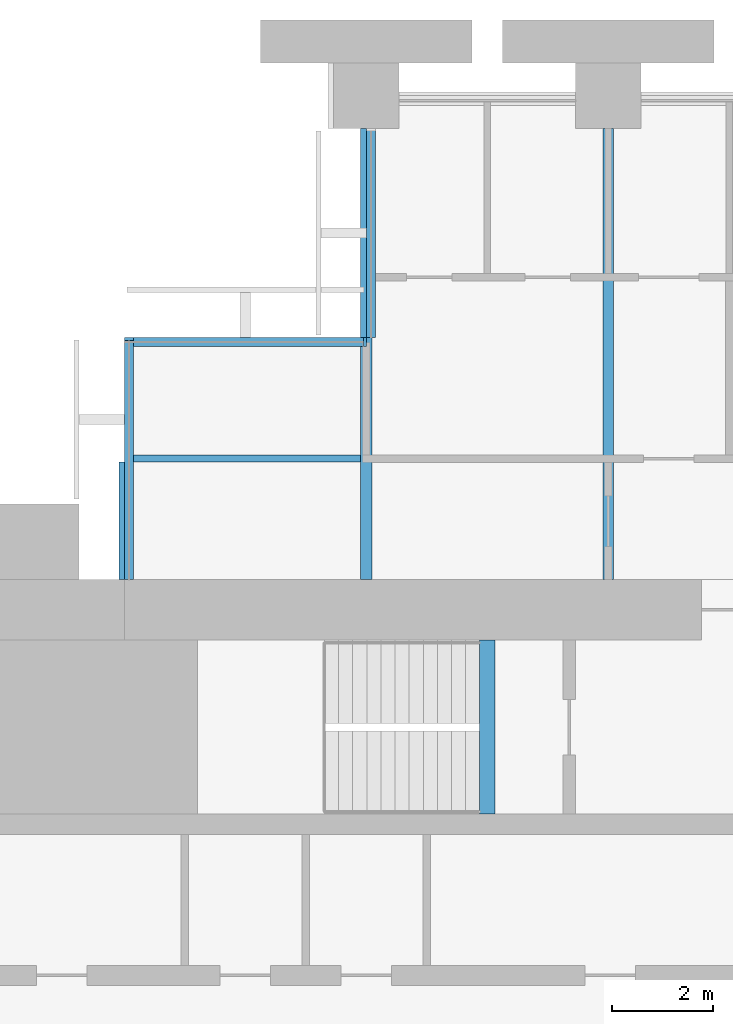
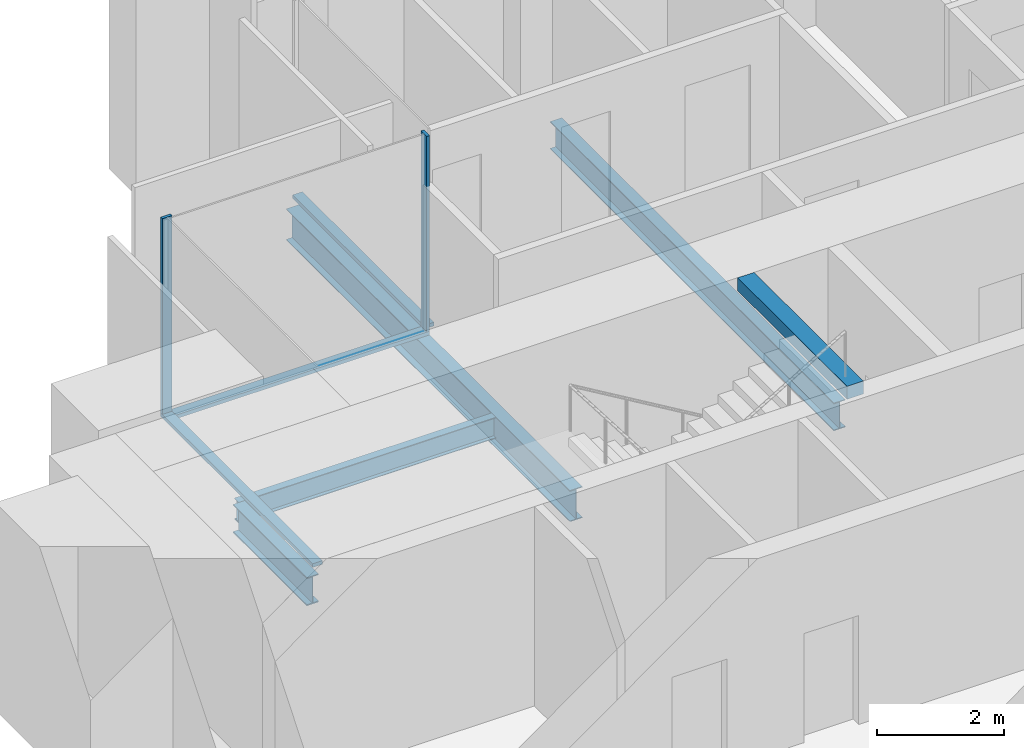
# One storey, part 5 of 14: 5 beams, 5 members, 3 elements without a shape of their own.
"""IFC4 building model written with IfcOpenShell, lengths in metres."""

from ifc_helpers import new_model, si_unit, direction, frame, origin, origin_2d, place, context, subcontext, project, spatial, rectangle, i_section, extrude, material, material_profile, profile_set, type_object, element, aggregate, save


model = new_model("IFC4")

# Units and contexts
model_context = context("Model", 3, precision=1e-05, world=origin(), true_north=direction((0.0, 1.0)))
body_context = subcontext(model_context, "Body", "Model", "MODEL_VIEW")
ifc_project = project(units=[si_unit("LENGTHUNIT", "METRE"), si_unit("AREAUNIT", "SQUARE_METRE"), si_unit("VOLUMEUNIT", "CUBIC_METRE"), si_unit("PLANEANGLEUNIT", "RADIAN"), si_unit("MASSUNIT", "GRAM", prefix="KILO")], contexts=[model_context])

# Site, building, storey
site_placement = place(None, origin())
site = spatial("IfcSite", under=ifc_project, at=site_placement, CompositionType="ELEMENT")
building_placement = place(site_placement, origin())
building = spatial("IfcBuilding", under=site, at=building_placement, Name="Baori Bourse Tower", CompositionType="ELEMENT")
storey_placement = place(building_placement, frame((0.0, 0.0, 63.0)))
storey = spatial("IfcBuildingStorey", under=building, at=storey_placement, Name="L13", CompositionType="ELEMENT", Elevation=63.0)

# Curtain wall, member
ifc_material_1 = material(Name="Pale anodised aluminium", Category="aluminium")
curtain_wall_type = type_object("IfcCurtainWallType", Name="CW2 Curtain wall", PredefinedType="NOTDEFINED", material=ifc_material_1)
curtain_wall_1_placement = place(storey_placement, origin())
curtain_wall_1 = element("IfcCurtainWall", 1, at=curtain_wall_1_placement, inside=storey, type_object=curtain_wall_type, Name="Curtain wall CW2 L13 6", PredefinedType="NOTDEFINED")
ifc_material_2 = material(Name="Pale anodised aluminium", Category="aluminium")
ifc_material_profile_1 = material_profile(ifc_material_2, rectangle(XDim=0.179931640625, YDim=0.054931640625, at=origin_2d()), Name="Mullion 55x180")
ifc_profile_set_1 = profile_set([ifc_material_profile_1], Name="Pale anodised aluminium")
member_type_1 = type_object("IfcMemberType", Name="CW2 Curtain wall mullion", PredefinedType="MULLION", material=ifc_profile_set_1)
member_1_placement = place(storey_placement, frame((9.572509765625, 43.110107421875, 0.070068359375), z_axis=(0.0, 0.0, 1.0), x_axis=(0.0, -1.0, 0.0)))
member_1 = element("IfcMember", 2, at=member_1_placement, type_object=member_type_1, Name="Curtain wall CW2 mullion", PredefinedType="MULLION", context=body_context, shape_type="SweptSolid", body=[
    extrude(rectangle(XDim=0.179931640625, YDim=0.054931640625, at=origin_2d()), origin(), (0.0, 0.0, 1.0), 3.77001953125),
])

curtain_wall_2_placement = place(storey_placement, origin())
curtain_wall_2 = element("IfcCurtainWall", 3, at=curtain_wall_2_placement, inside=storey, type_object=curtain_wall_type, Name="Curtain wall CW2 L13 7", PredefinedType="NOTDEFINED")
member_2_placement = place(storey_placement, frame((4.889892578125, 43.172607421875, 0.070068359375), z_axis=(0.0, 0.0, 1.0), x_axis=(1.0, 0.0, 0.0)))
member_2 = element("IfcMember", 4, at=member_2_placement, type_object=member_type_1, Name="Curtain wall CW2 mullion", PredefinedType="MULLION", context=body_context, shape_type="SweptSolid", body=[
    extrude(rectangle(XDim=0.179931640625, YDim=0.054931640625, at=origin_2d()), origin(), (0.0, 0.0, 1.0), 3.77001953125),
])

curtain_wall_3_placement = place(storey_placement, origin())
curtain_wall_3 = element("IfcCurtainWall", 5, at=curtain_wall_3_placement, inside=storey, type_object=curtain_wall_type, Name="Curtain wall CW2 L13 5", PredefinedType="NOTDEFINED")
ifc_material_3 = material(Name="Pale anodised aluminium", Category="aluminium")
ifc_material_profile_2 = material_profile(ifc_material_3, rectangle(XDim=0.179931640625, YDim=0.070068359375, at=origin_2d()), Name="Transom 70x180")
ifc_profile_set_2 = profile_set([ifc_material_profile_2], Name="Pale anodised aluminium")
member_type_2 = type_object("IfcMemberType", Name="CW2 Curtain wall transom", PredefinedType="USERDEFINED", material=ifc_profile_set_2)
member_3_placement = place(storey_placement, frame((9.68994140625, 47.35009765625, 0.034912109375), z_axis=(0.0, -1.0, 0.0), x_axis=(1.0, 0.0, 0.0)))
member_3 = element("IfcMember", 6, at=member_3_placement, type_object=member_type_2, Name="Curtain wall CW2 sill rail", ObjectType="TRANSOM", PredefinedType="USERDEFINED", context=body_context, shape_type="SweptSolid", body=[
    extrude(rectangle(XDim=0.179931640625, YDim=0.070068359375, at=origin_2d()), origin(), (0.0, 0.0, 1.0), 4.150146484375),
])
aggregate(curtain_wall_3, [member_3])

# Member
member_4_placement = place(storey_placement, frame((9.60009765625, 43.110107421875, 0.034912109375), z_axis=(-1.0, 0.0, 0.0), x_axis=(0.0, -1.0, 0.0)))
member_4 = element("IfcMember", 7, at=member_4_placement, type_object=member_type_2, Name="Curtain wall CW2 sill rail", ObjectType="TRANSOM", PredefinedType="USERDEFINED", context=body_context, shape_type="SweptSolid", body=[
    extrude(rectangle(XDim=0.179931640625, YDim=0.070068359375, at=origin_2d()), origin(), (0.0, 0.0, 1.0), 4.800048828125),
])

aggregate(curtain_wall_1, [member_4, member_1])

member_5_placement = place(storey_placement, frame((4.889892578125, 43.199951171875, 0.034912109375), z_axis=(0.0, -1.0, 0.0), x_axis=(1.0, 0.0, 0.0)))
member_5 = element("IfcMember", 8, at=member_5_placement, type_object=member_type_2, Name="Curtain wall CW2 sill rail", ObjectType="TRANSOM", PredefinedType="USERDEFINED", context=body_context, shape_type="SweptSolid", body=[
    extrude(rectangle(XDim=0.179931640625, YDim=0.070068359375, at=origin_2d()), origin(), (0.0, 0.0, 1.0), 4.800048828125),
])

aggregate(curtain_wall_2, [member_5, member_2])

# Beams
ifc_material_4 = material(Name="Steel A992 Gr 50", Category="steel")
ifc_material_profile_3 = material_profile(ifc_material_4, i_section(OverallWidth=0.21240234375, OverallDepth=0.54345703125, WebThickness=0.01318359375, FlangeThickness=0.021240234375, at=origin_2d()), Name="W21x83")
ifc_profile_set_3 = profile_set([ifc_material_profile_3], Name="Steel A992 Gr 50")
beam_type_1 = type_object("IfcBeamType", Name="Core bracket W21x83", PredefinedType="BEAM", material=ifc_profile_set_3)
beam_1_placement = place(storey_placement, frame((4.800048828125, 38.39990234375, -0.431884765625), z_axis=(0.0, 1.0, 0.0), x_axis=(-1.0, 0.0, 0.0)))
element("IfcBeam", 9, at=beam_1_placement, inside=storey, type_object=beam_type_1, Name="Core bracket L13", PredefinedType="BEAM", context=body_context, shape_type="SweptSolid", body=[
    extrude(i_section(OverallWidth=0.21240234375, OverallDepth=0.54345703125, WebThickness=0.01318359375, FlangeThickness=0.021240234375, at=origin_2d()), origin(), (0.0, 0.0, 1.0), 2.329833984375),
])
ifc_material_5 = material(Name="Steel A992 Gr 50", Category="steel")
ifc_material_profile_4 = material_profile(ifc_material_5, i_section(OverallWidth=0.209228515625, OverallDepth=0.533447265625, WebThickness=0.01025390625, FlangeThickness=0.015625, at=origin_2d()), Name="W21x62")
ifc_profile_set_4 = profile_set([ifc_material_profile_4], Name="Steel A992 Gr 50")
beam_type_2 = type_object("IfcBeamType", Name="Floor beam W21x62", PredefinedType="BEAM", material=ifc_profile_set_4)
beam_2_placement = place(storey_placement, frame((14.39990234375, 38.39990234375, -0.4267578125), z_axis=(0.0, 1.0, 0.0), x_axis=(-1.0, 0.0, 0.0)))
element("IfcBeam", 10, at=beam_2_placement, inside=storey, type_object=beam_type_2, Name="Floor beam L13", PredefinedType="BEAM", context=body_context, shape_type="SweptSolid", body=[
    extrude(i_section(OverallWidth=0.209228515625, OverallDepth=0.533447265625, WebThickness=0.01025390625, FlangeThickness=0.015625, at=origin_2d()), origin(), (0.0, 0.0, 1.0), 8.9501953125),
])
ifc_material_6 = material(Name="Steel A992 Gr 50", Category="steel")
ifc_material_profile_5 = material_profile(ifc_material_6, i_section(OverallWidth=0.227783203125, OverallDepth=0.60205078125, WebThickness=0.010498046875, FlangeThickness=0.014892578125, at=origin_2d()), Name="W24x68")
ifc_profile_set_5 = profile_set([ifc_material_profile_5], Name="Steel A992 Gr 50")
beam_type_3 = type_object("IfcBeamType", Name="Floor beam W24x68", PredefinedType="BEAM", material=ifc_profile_set_5)
beam_3_placement = place(storey_placement, frame((9.60009765625, 38.39990234375, -0.4609375), z_axis=(0.0, 1.0, 0.0), x_axis=(-1.0, 0.0, 0.0)))
element("IfcBeam", 11, at=beam_3_placement, inside=storey, type_object=beam_type_3, Name="Floor beam L13", PredefinedType="BEAM", context=body_context, shape_type="SweptSolid", body=[
    extrude(i_section(OverallWidth=0.227783203125, OverallDepth=0.60205078125, WebThickness=0.010498046875, FlangeThickness=0.014892578125, at=origin_2d()), origin(), (0.0, 0.0, 1.0), 8.9501953125),
])
ifc_material_7 = material(Name="Concrete f'c 50 MPa", Category="concrete")
ifc_material_profile_6 = material_profile(ifc_material_7, rectangle(XDim=0.300048828125, YDim=0.25, at=origin_2d()), Name="RC 300x250")
ifc_profile_set_6 = profile_set([ifc_material_profile_6], Name="Concrete f'c 50 MPa")
beam_type_4 = type_object("IfcBeamType", Name="Stair nib beam RC 300x250", PredefinedType="BEAM", material=ifc_profile_set_6)
beam_4_placement = place(storey_placement, frame((12.0, 33.75, 3.715087890625), z_axis=(0.0, 1.0, 0.0), x_axis=(-1.0, 0.0, 0.0)))
element("IfcBeam", 12, at=beam_4_placement, inside=storey, type_object=beam_type_4, Name="Stair WB nib beam L14", PredefinedType="BEAM", context=body_context, shape_type="SweptSolid", body=[
    extrude(rectangle(XDim=0.300048828125, YDim=0.25, at=origin_2d()), origin(), (0.0, 0.0, 1.0), 3.449951171875),
])
ifc_material_8 = material(Name="Steel A992 Gr 50", Category="steel")
ifc_material_profile_7 = material_profile(ifc_material_8, i_section(OverallWidth=0.140380859375, OverallDepth=0.40380859375, WebThickness=0.007080078125, FlangeThickness=0.01123046875, at=origin_2d()), Name="W16x31")
ifc_profile_set_7 = profile_set([ifc_material_profile_7], Name="Steel A992 Gr 50")
beam_type_5 = type_object("IfcBeamType", Name="Trimmer beam W16x31", PredefinedType="BEAM", material=ifc_profile_set_7)
beam_5_placement = place(storey_placement, frame((4.800048828125, 40.800048828125, -0.36181640625), z_axis=(1.0, 0.0, 0.0), x_axis=(0.0, 1.0, 0.0)))
element("IfcBeam", 13, at=beam_5_placement, inside=storey, type_object=beam_type_5, Name="Trimmer beam L13", PredefinedType="BEAM", context=body_context, shape_type="SweptSolid", body=[
    extrude(i_section(OverallWidth=0.140380859375, OverallDepth=0.40380859375, WebThickness=0.007080078125, FlangeThickness=0.01123046875, at=origin_2d()), origin(), (0.0, 0.0, 1.0), 4.68603515625),
])

save(model, "model.ifc")
